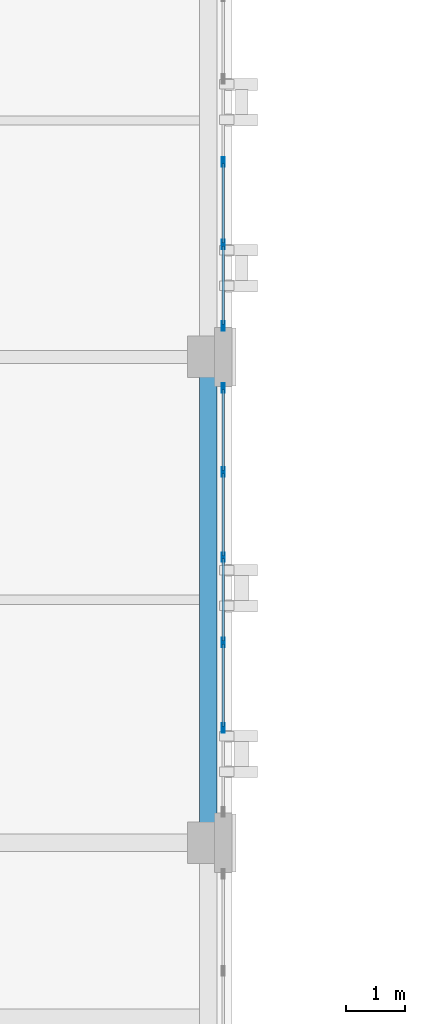
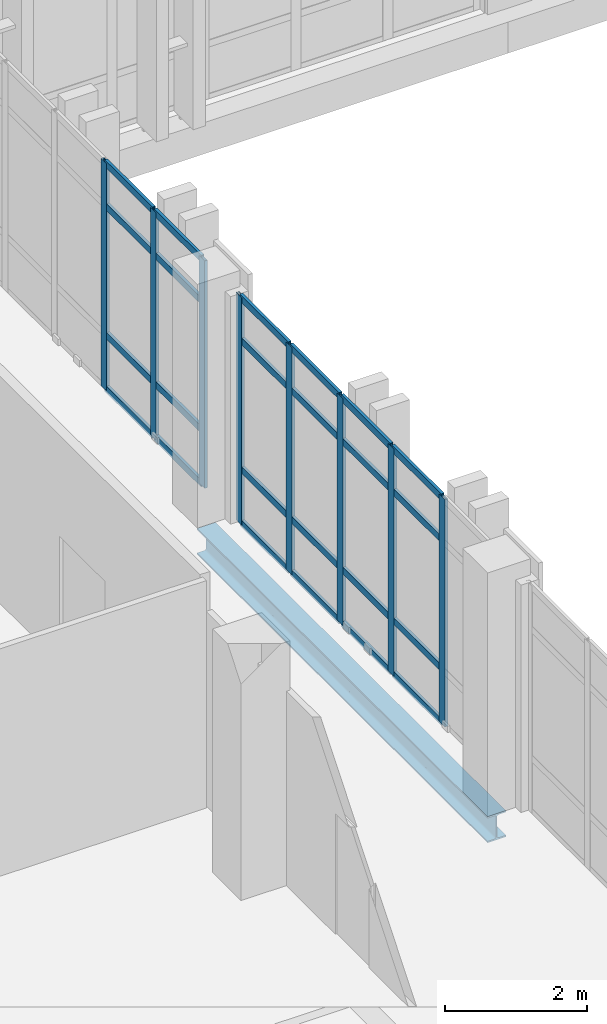
# One storey, part 79 of 165: 32 members, 1 beam, 2 elements without a shape of their own.
"""IFC4 building model written with IfcOpenShell, lengths in metres."""

from ifc_helpers import new_model, si_unit, direction, frame, origin, origin_2d, place, context, subcontext, project, spatial, hollow_rectangle, i_section, extrude, material, layer, layer_set, material_profile, profile_set, type_object, element, aggregate, save


model = new_model("IFC4")

# Units and contexts
model_context = context("Model", 3, precision=1e-05, world=origin(), true_north=direction((0.0, 1.0)))
body_context = subcontext(model_context, "Body", "Model", "MODEL_VIEW")
ifc_project = project(units=[si_unit("LENGTHUNIT", "METRE"), si_unit("AREAUNIT", "SQUARE_METRE"), si_unit("VOLUMEUNIT", "CUBIC_METRE"), si_unit("PLANEANGLEUNIT", "RADIAN"), si_unit("MASSUNIT", "GRAM", prefix="KILO")], contexts=[model_context])

# Site, building, storey
site_placement = place(None, origin())
site = spatial("IfcSite", under=ifc_project, at=site_placement, CompositionType="ELEMENT")
building_placement = place(site_placement, origin())
building = spatial("IfcBuilding", under=site, at=building_placement, Name="Qalavern Law Courts", CompositionType="ELEMENT")
storey_placement = place(building_placement, frame((0.0, 0.0, 14.39990234375)))
storey = spatial("IfcBuildingStorey", under=building, at=storey_placement, Name="L03", CompositionType="ELEMENT", Elevation=14.39990234375)

# Curtain wall, members
ifc_material_1 = material(Name="Anodised aluminium and insulated glazing", Category="aluminium")
ifc_layer = layer(ifc_material_1, 0.172119140625)
ifc_layer_set = layer_set([ifc_layer], Name="Anodised aluminium and insulated glazing")
curtain_wall_type = type_object("IfcCurtainWallType", Name="ENV-CW-COURT", PredefinedType="USERDEFINED", material=ifc_layer_set)
curtain_wall_1_placement = place(storey_placement, origin())
curtain_wall_1 = element("IfcCurtainWall", 1, at=curtain_wall_1_placement, inside=storey, type_object=curtain_wall_type, Name="V3 unitised curtain wall L03 east 6", ObjectType="UNITISED CURTAIN WALL", PredefinedType="USERDEFINED")
ifc_material_2 = material(Name="Anodised aluminium", Category="aluminium")
ifc_material_profile_1 = material_profile(ifc_material_2, hollow_rectangle(XDim=0.048095703125, YDim=0.159912109375, WallThickness=0.00390625, at=origin_2d()), Name="ALU MULLION 48x160")
ifc_profile_set_1 = profile_set([ifc_material_profile_1], Name="Anodised aluminium")
member_type_1 = type_object("IfcMemberType", Name="ENV-CWM-48x160", PredefinedType="MULLION", material=ifc_profile_set_1)
member_1_placement = place(storey_placement, frame((18.652587890625, 81.340087890625, 0.0), z_axis=(0.0, 0.0, 1.0), x_axis=(-1.0, 0.0, 0.0)))
member_1 = element("IfcMember", 2, at=member_1_placement, type_object=member_type_1, Name="CW-03 mullion 2", PredefinedType="MULLION", context=body_context, shape_type="SweptSolid", body=[
    extrude(hollow_rectangle(XDim=0.048095703125, YDim=0.159912109375, WallThickness=0.00390625, at=origin_2d()), origin(), (0.0, 0.0, 1.0), 3.920166015625),
])
member_2_placement = place(storey_placement, frame((18.652587890625, 82.780029296875, 0.0), z_axis=(0.0, 0.0, 1.0), x_axis=(-1.0, 0.0, 0.0)))
member_2 = element("IfcMember", 3, at=member_2_placement, type_object=member_type_1, Name="CW-03 mullion 3", PredefinedType="MULLION", context=body_context, shape_type="SweptSolid", body=[
    extrude(hollow_rectangle(XDim=0.048095703125, YDim=0.159912109375, WallThickness=0.00390625, at=origin_2d()), origin(), (0.0, 0.0, 1.0), 3.920166015625),
])
member_3_placement = place(storey_placement, frame((18.652587890625, 84.219970703125, 0.0), z_axis=(0.0, 0.0, 1.0), x_axis=(-1.0, 0.0, 0.0)))
member_3 = element("IfcMember", 4, at=member_3_placement, type_object=member_type_1, Name="CW-03 mullion 4", PredefinedType="MULLION", context=body_context, shape_type="SweptSolid", body=[
    extrude(hollow_rectangle(XDim=0.048095703125, YDim=0.159912109375, WallThickness=0.00390625, at=origin_2d()), origin(), (0.0, 0.0, 1.0), 3.920166015625),
])
member_4_placement = place(storey_placement, frame((18.652587890625, 85.659912109375, 0.0), z_axis=(0.0, 0.0, 1.0), x_axis=(-1.0, 0.0, 0.0)))
member_4 = element("IfcMember", 5, at=member_4_placement, type_object=member_type_1, Name="CW-03 mullion 5", PredefinedType="MULLION", context=body_context, shape_type="SweptSolid", body=[
    extrude(hollow_rectangle(XDim=0.048095703125, YDim=0.159912109375, WallThickness=0.00390625, at=origin_2d()), origin(), (0.0, 0.0, 1.0), 3.920166015625),
])
member_5_placement = place(storey_placement, frame((18.652587890625, 87.075927734375, 0.0), z_axis=(0.0, 0.0, 1.0), x_axis=(-1.0, 0.0, 0.0)))
member_5 = element("IfcMember", 6, at=member_5_placement, type_object=member_type_1, Name="CW-03 mullion 6", PredefinedType="MULLION", context=body_context, shape_type="SweptSolid", body=[
    extrude(hollow_rectangle(XDim=0.048095703125, YDim=0.159912109375, WallThickness=0.00390625, at=origin_2d()), origin(), (0.0, 0.0, 1.0), 3.920166015625),
])

curtain_wall_2_placement = place(storey_placement, origin())
curtain_wall_2 = element("IfcCurtainWall", 7, at=curtain_wall_2_placement, inside=storey, type_object=curtain_wall_type, Name="V3 unitised curtain wall L03 east 7", ObjectType="UNITISED CURTAIN WALL", PredefinedType="USERDEFINED")
member_6_placement = place(storey_placement, frame((18.652587890625, 88.1240234375, 0.0), z_axis=(0.0, 0.0, 1.0), x_axis=(-1.0, 0.0, 0.0)))
member_6 = element("IfcMember", 8, at=member_6_placement, type_object=member_type_1, Name="CW-03 mullion 1", PredefinedType="MULLION", context=body_context, shape_type="SweptSolid", body=[
    extrude(hollow_rectangle(XDim=0.048095703125, YDim=0.159912109375, WallThickness=0.00390625, at=origin_2d()), origin(), (0.0, 0.0, 1.0), 3.920166015625),
])
member_7_placement = place(storey_placement, frame((18.652587890625, 89.49609375, 0.0), z_axis=(0.0, 0.0, 1.0), x_axis=(-1.0, 0.0, 0.0)))
member_7 = element("IfcMember", 9, at=member_7_placement, type_object=member_type_1, Name="CW-03 mullion 2", PredefinedType="MULLION", context=body_context, shape_type="SweptSolid", body=[
    extrude(hollow_rectangle(XDim=0.048095703125, YDim=0.159912109375, WallThickness=0.00390625, at=origin_2d()), origin(), (0.0, 0.0, 1.0), 3.920166015625),
])
member_8_placement = place(storey_placement, frame((18.652587890625, 90.89208984375, 0.0), z_axis=(0.0, 0.0, 1.0), x_axis=(-1.0, 0.0, 0.0)))
member_8 = element("IfcMember", 10, at=member_8_placement, type_object=member_type_1, Name="CW-03 mullion 3", PredefinedType="MULLION", context=body_context, shape_type="SweptSolid", body=[
    extrude(hollow_rectangle(XDim=0.048095703125, YDim=0.159912109375, WallThickness=0.00390625, at=origin_2d()), origin(), (0.0, 0.0, 1.0), 3.920166015625),
])

# Member
ifc_material_profile_2 = material_profile(ifc_material_2, hollow_rectangle(XDim=0.048095703125, YDim=0.1201171875, WallThickness=0.00390625, at=origin_2d()), Name="ALU TRANSOM 48x120")
ifc_profile_set_2 = profile_set([ifc_material_profile_2], Name="Anodised aluminium")
member_type_2 = type_object("IfcMemberType", Name="ENV-CWT-48x120", PredefinedType="USERDEFINED", material=ifc_profile_set_2)
member_9_placement = place(storey_placement, frame((18.652587890625, 81.364013671875, 0.024169921875), z_axis=(0.0, 1.0, 0.0), x_axis=(-1.0, 0.0, 0.0)))
member_9 = element("IfcMember", 11, at=member_9_placement, type_object=member_type_2, Name="CW-03 transom 2.1", ObjectType="TRANSOM", PredefinedType="USERDEFINED", context=body_context, shape_type="SweptSolid", body=[
    extrude(hollow_rectangle(XDim=0.048095703125, YDim=0.1201171875, WallThickness=0.00390625, at=origin_2d()), origin(), (0.0, 0.0, 1.0), 1.39208984375),
])

member_10_placement = place(storey_placement, frame((18.652587890625, 81.364013671875, 0.9501953125), z_axis=(0.0, 1.0, 0.0), x_axis=(-1.0, 0.0, 0.0)))
member_10 = element("IfcMember", 12, at=member_10_placement, type_object=member_type_2, Name="CW-03 transom 2.2", ObjectType="TRANSOM", PredefinedType="USERDEFINED", context=body_context, shape_type="SweptSolid", body=[
    extrude(hollow_rectangle(XDim=0.048095703125, YDim=0.1201171875, WallThickness=0.00390625, at=origin_2d()), origin(), (0.0, 0.0, 1.0), 1.39208984375),
])

member_11_placement = place(storey_placement, frame((18.652587890625, 81.364013671875, 3.170166015625), z_axis=(0.0, 1.0, 0.0), x_axis=(-1.0, 0.0, 0.0)))
member_11 = element("IfcMember", 13, at=member_11_placement, type_object=member_type_2, Name="CW-03 transom 2.3", ObjectType="TRANSOM", PredefinedType="USERDEFINED", context=body_context, shape_type="SweptSolid", body=[
    extrude(hollow_rectangle(XDim=0.048095703125, YDim=0.1201171875, WallThickness=0.00390625, at=origin_2d()), origin(), (0.0, 0.0, 1.0), 1.39208984375),
])

member_12_placement = place(storey_placement, frame((18.652587890625, 81.364013671875, 3.89599609375), z_axis=(0.0, 1.0, 0.0), x_axis=(-1.0, 0.0, 0.0)))
member_12 = element("IfcMember", 14, at=member_12_placement, type_object=member_type_2, Name="CW-03 transom 2.4", ObjectType="TRANSOM", PredefinedType="USERDEFINED", context=body_context, shape_type="SweptSolid", body=[
    extrude(hollow_rectangle(XDim=0.048095703125, YDim=0.1201171875, WallThickness=0.00390625, at=origin_2d()), origin(), (0.0, 0.0, 1.0), 1.39208984375),
])

member_13_placement = place(storey_placement, frame((18.652587890625, 82.803955078125, 0.024169921875), z_axis=(0.0, 1.0, 0.0), x_axis=(-1.0, 0.0, 0.0)))
member_13 = element("IfcMember", 15, at=member_13_placement, type_object=member_type_2, Name="CW-03 transom 3.1", ObjectType="TRANSOM", PredefinedType="USERDEFINED", context=body_context, shape_type="SweptSolid", body=[
    extrude(hollow_rectangle(XDim=0.048095703125, YDim=0.1201171875, WallThickness=0.00390625, at=origin_2d()), origin(), (0.0, 0.0, 1.0), 1.39208984375),
])

member_14_placement = place(storey_placement, frame((18.652587890625, 82.803955078125, 0.9501953125), z_axis=(0.0, 1.0, 0.0), x_axis=(-1.0, 0.0, 0.0)))
member_14 = element("IfcMember", 16, at=member_14_placement, type_object=member_type_2, Name="CW-03 transom 3.2", ObjectType="TRANSOM", PredefinedType="USERDEFINED", context=body_context, shape_type="SweptSolid", body=[
    extrude(hollow_rectangle(XDim=0.048095703125, YDim=0.1201171875, WallThickness=0.00390625, at=origin_2d()), origin(), (0.0, 0.0, 1.0), 1.39208984375),
])

member_15_placement = place(storey_placement, frame((18.652587890625, 82.803955078125, 3.170166015625), z_axis=(0.0, 1.0, 0.0), x_axis=(-1.0, 0.0, 0.0)))
member_15 = element("IfcMember", 17, at=member_15_placement, type_object=member_type_2, Name="CW-03 transom 3.3", ObjectType="TRANSOM", PredefinedType="USERDEFINED", context=body_context, shape_type="SweptSolid", body=[
    extrude(hollow_rectangle(XDim=0.048095703125, YDim=0.1201171875, WallThickness=0.00390625, at=origin_2d()), origin(), (0.0, 0.0, 1.0), 1.39208984375),
])

member_16_placement = place(storey_placement, frame((18.652587890625, 82.803955078125, 3.89599609375), z_axis=(0.0, 1.0, 0.0), x_axis=(-1.0, 0.0, 0.0)))
member_16 = element("IfcMember", 18, at=member_16_placement, type_object=member_type_2, Name="CW-03 transom 3.4", ObjectType="TRANSOM", PredefinedType="USERDEFINED", context=body_context, shape_type="SweptSolid", body=[
    extrude(hollow_rectangle(XDim=0.048095703125, YDim=0.1201171875, WallThickness=0.00390625, at=origin_2d()), origin(), (0.0, 0.0, 1.0), 1.39208984375),
])

member_17_placement = place(storey_placement, frame((18.652587890625, 84.243896484375, 0.024169921875), z_axis=(0.0, 1.0, 0.0), x_axis=(-1.0, 0.0, 0.0)))
member_17 = element("IfcMember", 19, at=member_17_placement, type_object=member_type_2, Name="CW-03 transom 4.1", ObjectType="TRANSOM", PredefinedType="USERDEFINED", context=body_context, shape_type="SweptSolid", body=[
    extrude(hollow_rectangle(XDim=0.048095703125, YDim=0.1201171875, WallThickness=0.00390625, at=origin_2d()), origin(), (0.0, 0.0, 1.0), 1.39208984375),
])

member_18_placement = place(storey_placement, frame((18.652587890625, 84.243896484375, 0.9501953125), z_axis=(0.0, 1.0, 0.0), x_axis=(-1.0, 0.0, 0.0)))
member_18 = element("IfcMember", 20, at=member_18_placement, type_object=member_type_2, Name="CW-03 transom 4.2", ObjectType="TRANSOM", PredefinedType="USERDEFINED", context=body_context, shape_type="SweptSolid", body=[
    extrude(hollow_rectangle(XDim=0.048095703125, YDim=0.1201171875, WallThickness=0.00390625, at=origin_2d()), origin(), (0.0, 0.0, 1.0), 1.39208984375),
])

member_19_placement = place(storey_placement, frame((18.652587890625, 84.243896484375, 3.170166015625), z_axis=(0.0, 1.0, 0.0), x_axis=(-1.0, 0.0, 0.0)))
member_19 = element("IfcMember", 21, at=member_19_placement, type_object=member_type_2, Name="CW-03 transom 4.3", ObjectType="TRANSOM", PredefinedType="USERDEFINED", context=body_context, shape_type="SweptSolid", body=[
    extrude(hollow_rectangle(XDim=0.048095703125, YDim=0.1201171875, WallThickness=0.00390625, at=origin_2d()), origin(), (0.0, 0.0, 1.0), 1.39208984375),
])

member_20_placement = place(storey_placement, frame((18.652587890625, 84.243896484375, 3.89599609375), z_axis=(0.0, 1.0, 0.0), x_axis=(-1.0, 0.0, 0.0)))
member_20 = element("IfcMember", 22, at=member_20_placement, type_object=member_type_2, Name="CW-03 transom 4.4", ObjectType="TRANSOM", PredefinedType="USERDEFINED", context=body_context, shape_type="SweptSolid", body=[
    extrude(hollow_rectangle(XDim=0.048095703125, YDim=0.1201171875, WallThickness=0.00390625, at=origin_2d()), origin(), (0.0, 0.0, 1.0), 1.39208984375),
])

member_21_placement = place(storey_placement, frame((18.652587890625, 85.68408203125, 0.024169921875), z_axis=(0.0, 1.0, 0.0), x_axis=(-1.0, 0.0, 0.0)))
member_21 = element("IfcMember", 23, at=member_21_placement, type_object=member_type_2, Name="CW-03 transom 5.1", ObjectType="TRANSOM", PredefinedType="USERDEFINED", context=body_context, shape_type="SweptSolid", body=[
    extrude(hollow_rectangle(XDim=0.048095703125, YDim=0.1201171875, WallThickness=0.00390625, at=origin_2d()), origin(), (0.0, 0.0, 1.0), 1.367919921875),
])

member_22_placement = place(storey_placement, frame((18.652587890625, 85.68408203125, 0.9501953125), z_axis=(0.0, 1.0, 0.0), x_axis=(-1.0, 0.0, 0.0)))
member_22 = element("IfcMember", 24, at=member_22_placement, type_object=member_type_2, Name="CW-03 transom 5.2", ObjectType="TRANSOM", PredefinedType="USERDEFINED", context=body_context, shape_type="SweptSolid", body=[
    extrude(hollow_rectangle(XDim=0.048095703125, YDim=0.1201171875, WallThickness=0.00390625, at=origin_2d()), origin(), (0.0, 0.0, 1.0), 1.367919921875),
])

member_23_placement = place(storey_placement, frame((18.652587890625, 85.68408203125, 3.170166015625), z_axis=(0.0, 1.0, 0.0), x_axis=(-1.0, 0.0, 0.0)))
member_23 = element("IfcMember", 25, at=member_23_placement, type_object=member_type_2, Name="CW-03 transom 5.3", ObjectType="TRANSOM", PredefinedType="USERDEFINED", context=body_context, shape_type="SweptSolid", body=[
    extrude(hollow_rectangle(XDim=0.048095703125, YDim=0.1201171875, WallThickness=0.00390625, at=origin_2d()), origin(), (0.0, 0.0, 1.0), 1.367919921875),
])

member_24_placement = place(storey_placement, frame((18.652587890625, 85.68408203125, 3.89599609375), z_axis=(0.0, 1.0, 0.0), x_axis=(-1.0, 0.0, 0.0)))
member_24 = element("IfcMember", 26, at=member_24_placement, type_object=member_type_2, Name="CW-03 transom 5.4", ObjectType="TRANSOM", PredefinedType="USERDEFINED", context=body_context, shape_type="SweptSolid", body=[
    extrude(hollow_rectangle(XDim=0.048095703125, YDim=0.1201171875, WallThickness=0.00390625, at=origin_2d()), origin(), (0.0, 0.0, 1.0), 1.367919921875),
])

aggregate(curtain_wall_1, [member_1, member_2, member_3, member_4, member_5, member_9, member_10, member_11, member_12, member_13, member_14, member_15, member_16, member_17, member_18, member_19, member_20, member_21, member_22, member_23, member_24])

member_25_placement = place(storey_placement, frame((18.652587890625, 88.14794921875, 0.024169921875), z_axis=(0.0, 1.0, 0.0), x_axis=(-1.0, 0.0, 0.0)))
member_25 = element("IfcMember", 27, at=member_25_placement, type_object=member_type_2, Name="CW-03 transom 1.1", ObjectType="TRANSOM", PredefinedType="USERDEFINED", context=body_context, shape_type="SweptSolid", body=[
    extrude(hollow_rectangle(XDim=0.048095703125, YDim=0.1201171875, WallThickness=0.00390625, at=origin_2d()), origin(), (0.0, 0.0, 1.0), 1.323974609375),
])

member_26_placement = place(storey_placement, frame((18.652587890625, 88.14794921875, 0.9501953125), z_axis=(0.0, 1.0, 0.0), x_axis=(-1.0, 0.0, 0.0)))
member_26 = element("IfcMember", 28, at=member_26_placement, type_object=member_type_2, Name="CW-03 transom 1.2", ObjectType="TRANSOM", PredefinedType="USERDEFINED", context=body_context, shape_type="SweptSolid", body=[
    extrude(hollow_rectangle(XDim=0.048095703125, YDim=0.1201171875, WallThickness=0.00390625, at=origin_2d()), origin(), (0.0, 0.0, 1.0), 1.323974609375),
])

member_27_placement = place(storey_placement, frame((18.652587890625, 88.14794921875, 3.170166015625), z_axis=(0.0, 1.0, 0.0), x_axis=(-1.0, 0.0, 0.0)))
member_27 = element("IfcMember", 29, at=member_27_placement, type_object=member_type_2, Name="CW-03 transom 1.3", ObjectType="TRANSOM", PredefinedType="USERDEFINED", context=body_context, shape_type="SweptSolid", body=[
    extrude(hollow_rectangle(XDim=0.048095703125, YDim=0.1201171875, WallThickness=0.00390625, at=origin_2d()), origin(), (0.0, 0.0, 1.0), 1.323974609375),
])

member_28_placement = place(storey_placement, frame((18.652587890625, 88.14794921875, 3.89599609375), z_axis=(0.0, 1.0, 0.0), x_axis=(-1.0, 0.0, 0.0)))
member_28 = element("IfcMember", 30, at=member_28_placement, type_object=member_type_2, Name="CW-03 transom 1.4", ObjectType="TRANSOM", PredefinedType="USERDEFINED", context=body_context, shape_type="SweptSolid", body=[
    extrude(hollow_rectangle(XDim=0.048095703125, YDim=0.1201171875, WallThickness=0.00390625, at=origin_2d()), origin(), (0.0, 0.0, 1.0), 1.323974609375),
])

member_29_placement = place(storey_placement, frame((18.652587890625, 89.52001953125, 0.024169921875), z_axis=(0.0, 1.0, 0.0), x_axis=(-1.0, 0.0, 0.0)))
member_29 = element("IfcMember", 31, at=member_29_placement, type_object=member_type_2, Name="CW-03 transom 2.1", ObjectType="TRANSOM", PredefinedType="USERDEFINED", context=body_context, shape_type="SweptSolid", body=[
    extrude(hollow_rectangle(XDim=0.048095703125, YDim=0.1201171875, WallThickness=0.00390625, at=origin_2d()), origin(), (0.0, 0.0, 1.0), 1.347900390625),
])

member_30_placement = place(storey_placement, frame((18.652587890625, 89.52001953125, 0.9501953125), z_axis=(0.0, 1.0, 0.0), x_axis=(-1.0, 0.0, 0.0)))
member_30 = element("IfcMember", 32, at=member_30_placement, type_object=member_type_2, Name="CW-03 transom 2.2", ObjectType="TRANSOM", PredefinedType="USERDEFINED", context=body_context, shape_type="SweptSolid", body=[
    extrude(hollow_rectangle(XDim=0.048095703125, YDim=0.1201171875, WallThickness=0.00390625, at=origin_2d()), origin(), (0.0, 0.0, 1.0), 1.347900390625),
])

member_31_placement = place(storey_placement, frame((18.652587890625, 89.52001953125, 3.170166015625), z_axis=(0.0, 1.0, 0.0), x_axis=(-1.0, 0.0, 0.0)))
member_31 = element("IfcMember", 33, at=member_31_placement, type_object=member_type_2, Name="CW-03 transom 2.3", ObjectType="TRANSOM", PredefinedType="USERDEFINED", context=body_context, shape_type="SweptSolid", body=[
    extrude(hollow_rectangle(XDim=0.048095703125, YDim=0.1201171875, WallThickness=0.00390625, at=origin_2d()), origin(), (0.0, 0.0, 1.0), 1.347900390625),
])

member_32_placement = place(storey_placement, frame((18.652587890625, 89.52001953125, 3.89599609375), z_axis=(0.0, 1.0, 0.0), x_axis=(-1.0, 0.0, 0.0)))
member_32 = element("IfcMember", 34, at=member_32_placement, type_object=member_type_2, Name="CW-03 transom 2.4", ObjectType="TRANSOM", PredefinedType="USERDEFINED", context=body_context, shape_type="SweptSolid", body=[
    extrude(hollow_rectangle(XDim=0.048095703125, YDim=0.1201171875, WallThickness=0.00390625, at=origin_2d()), origin(), (0.0, 0.0, 1.0), 1.347900390625),
])

aggregate(curtain_wall_2, [member_6, member_7, member_8, member_25, member_26, member_27, member_28, member_29, member_30, member_31, member_32])

# Beam
ifc_material_3 = material(Name="Steel S355", Category="steel")
ifc_material_profile_3 = material_profile(ifc_material_3, i_section(OverallWidth=0.300048828125, OverallDepth=0.449951171875, WebThickness=0.013916015625, FlangeThickness=0.02587890625, FilletRadius=0.027099609375, at=origin_2d()), Name="HEB 450")
ifc_profile_set_3 = profile_set([ifc_material_profile_3], Name="Steel S355")
beam_type = type_object("IfcBeamType", Name="STR-SP-HEB450", PredefinedType="SPANDREL", material=ifc_profile_set_3)
beam_placement = place(storey_placement, frame((18.39990234375, 79.39990234375, -0.510009765625), z_axis=(0.0, 1.0, 0.0), x_axis=(-1.0, 0.0, 0.0)))
element("IfcBeam", 35, at=beam_placement, inside=storey, type_object=beam_type, Name="V3 Y-beam 3-6 L03", PredefinedType="SPANDREL", context=body_context, shape_type="SweptSolid", body=[
    extrude(i_section(OverallWidth=0.300048828125, OverallDepth=0.449951171875, WebThickness=0.013916015625, FlangeThickness=0.02587890625, FilletRadius=0.027099609375, at=origin_2d()), origin(), (0.0, 0.0, 1.0), 8.2001953125),
])

save(model, "model.ifc")
